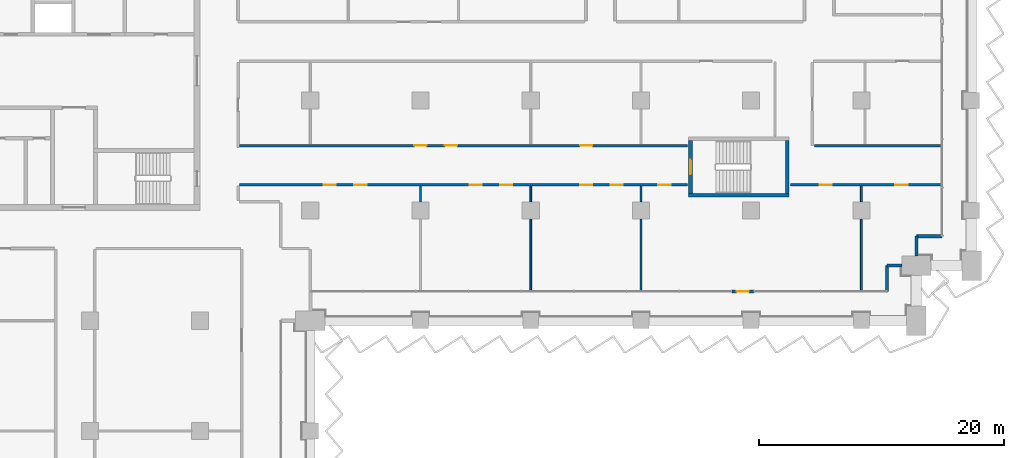
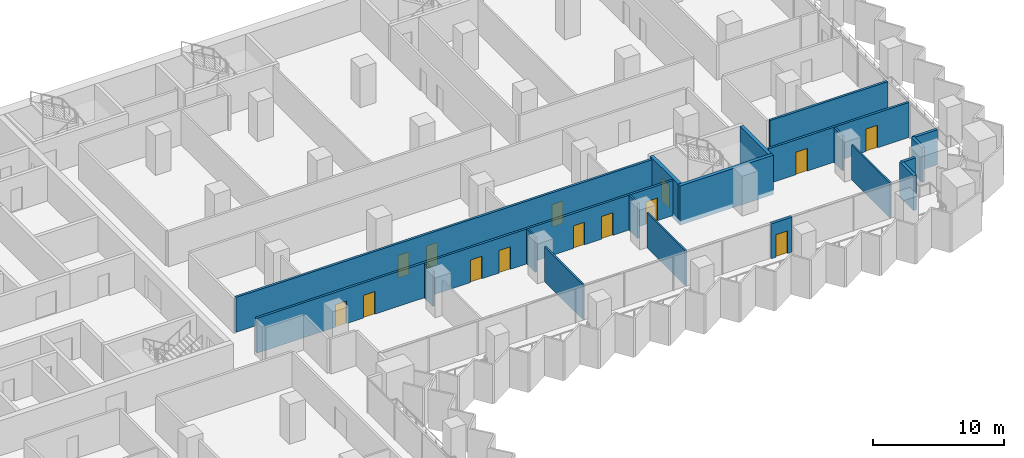
# One storey, part 13 of 28: 19 walls, 14 doors, 14 openings.
"""IFC4 building model written with IfcOpenShell, lengths in metres."""

from ifc_helpers import new_model, si_unit, direction, frame, frame_2d, origin, place, context, subcontext, project, spatial, rectangle, extrude, material, layer, layer_set, type_object, element, fill, save


model = new_model("IFC4")

# Units and contexts
model_context = context("Model", 3, precision=1e-05, world=origin(), true_north=direction((0.0, 1.0)))
body_context = subcontext(model_context, "Body", "Model", "MODEL_VIEW")
ifc_project = project(units=[si_unit("LENGTHUNIT", "METRE"), si_unit("AREAUNIT", "SQUARE_METRE"), si_unit("VOLUMEUNIT", "CUBIC_METRE"), si_unit("PLANEANGLEUNIT", "RADIAN"), si_unit("MASSUNIT", "GRAM", prefix="KILO")], contexts=[model_context])

# Site, building, storey
site_placement = place(None, origin())
site = spatial("IfcSite", under=ifc_project, at=site_placement, CompositionType="ELEMENT")
building_placement = place(site_placement, origin())
building = spatial("IfcBuilding", under=site, at=building_placement, Name="Hunhe Ridgeline Campus", CompositionType="ELEMENT")
storey_placement = place(building_placement, frame((0.0, 0.0, 76.5)))
storey = spatial("IfcBuildingStorey", under=building, at=storey_placement, Name="L18", CompositionType="ELEMENT", Elevation=76.5)

# Walls
ifc_material_1 = material(Name="Concrete C30", Category="concrete")
ifc_layer_1 = layer(ifc_material_1, 0.25)
ifc_layer_set_1 = layer_set([ifc_layer_1], Name="Corner return wall 250 Concrete C30")
wall_type_1 = type_object("IfcWallType", Name="Corner return wall 250 Concrete C30", PredefinedType="SOLIDWALL", material=ifc_layer_set_1)
wall_1_placement = place(storey_placement, frame((92.09912109375, 56.40087890625, 0.0), z_axis=(0.0, 0.0, 1.0), x_axis=(0.00011626555, 0.999999993241, 0.0)))
element("IfcWall", 1, at=wall_1_placement, inside=storey, type_object=wall_type_1, Name="Corner return wall 4", PredefinedType="SOLIDWALL", context=body_context, shape_type="SweptSolid", body=[
    extrude(rectangle(XDim=2.099853515625, YDim=0.25, at=frame_2d((1.0498046875, 0.0))), origin(), (0.0, 0.0, 1.0), 3.25),
])
wall_2_placement = place(storey_placement, frame((92.099365234375, 58.500732421875, 0.0), z_axis=(0.0, 0.0, 1.0), x_axis=(1.0, 0.0, 0.0)))
element("IfcWall", 2, at=wall_2_placement, inside=storey, type_object=wall_type_1, Name="Corner return wall 5", PredefinedType="SOLIDWALL", context=body_context, shape_type="SweptSolid", body=[
    extrude(rectangle(XDim=1.20068359375, YDim=0.25, at=frame_2d((0.600341796875, 0.0))), origin(), (0.0, 0.0, 1.0), 3.25),
])
wall_3_placement = place(storey_placement, frame((94.4990234375, 59.300048828125, 0.0), z_axis=(0.0, 0.0, 1.0), x_axis=(0.00015253203, 0.999999988367, 0.0)))
element("IfcWall", 3, at=wall_3_placement, inside=storey, type_object=wall_type_1, Name="Corner return wall 6", PredefinedType="SOLIDWALL", context=body_context, shape_type="SweptSolid", body=[
    extrude(rectangle(XDim=1.6005859375, YDim=0.25, at=frame_2d((0.80029296875, 0.0))), origin(), (0.0, 0.0, 1.0), 3.25),
])
wall_4_placement = place(storey_placement, frame((94.499267578125, 60.900634765625, 0.0), z_axis=(0.0, 0.0, 1.0), x_axis=(0.999999993241, 0.00011626555, 0.0)))
element("IfcWall", 4, at=wall_4_placement, inside=storey, type_object=wall_type_1, Name="Corner return wall 7", PredefinedType="SOLIDWALL", context=body_context, shape_type="SweptSolid", body=[
    extrude(rectangle(XDim=2.099853515625, YDim=0.25, at=frame_2d((1.0498046875, 0.0))), origin(), (0.0, 0.0, 1.0), 3.25),
])

# Wall, openings, doors
ifc_material_2 = material(Name="Gypsum board partition")
ifc_layer_2 = layer(ifc_material_2, 0.199951171875)
ifc_layer_set_2 = layer_set([ifc_layer_2], Name="Corridor partition 200 gypsum board on steel studs")
wall_type_2 = type_object("IfcWallType", Name="Corridor partition 200 gypsum board on steel studs", PredefinedType="PARTITIONING", material=ifc_layer_set_2)
wall_5_placement = place(storey_placement, frame((75.7958984375, 65.10009765625, 0.0), z_axis=(0.0, 0.0, 1.0), x_axis=(-1.0, 0.0, 0.0)))
wall_5 = element("IfcWall", 5, at=wall_5_placement, inside=storey, type_object=wall_type_2, Name="F-L18-wall-033", PredefinedType="PARTITIONING", context=body_context, shape_type="SweptSolid", body=[
    extrude(rectangle(XDim=36.595947265625, YDim=0.199951171875, at=frame_2d((18.2978515625, 0.0))), origin(), (0.0, 0.0, 1.0), 3.25),
])
opening_1_placement = place(wall_5_placement, frame((28.70166015625, 0.0, 0.0)))
opening_1 = element("IfcOpeningElement", 6, at=opening_1_placement, cuts=wall_5, Name="Opening RD1-020", PredefinedType="OPENING", context=body_context, shape_type="SweptSolid", body=[
    extrude(rectangle(XDim=1.0, YDim=2.10009765625, at=frame_2d((0.5, 1.050048828125))), frame((0.0, 0.10009765625, 0.0), z_axis=(0.0, -1.0, 0.0), x_axis=(1.0, 0.0, 0.0)), (0.0, 0.0, 1.0), 0.199951171875),
])
opening_2_placement = place(wall_5_placement, frame((26.20166015625, 0.0, 0.0)))
opening_2 = element("IfcOpeningElement", 7, at=opening_2_placement, cuts=wall_5, Name="Opening RD1-021", PredefinedType="OPENING", context=body_context, shape_type="SweptSolid", body=[
    extrude(rectangle(XDim=1.0, YDim=2.10009765625, at=frame_2d((0.5, 1.050048828125))), frame((0.0, 0.10009765625, 0.0), z_axis=(0.0, -1.0, 0.0), x_axis=(1.0, 0.0, 0.0)), (0.0, 0.0, 1.0), 0.199951171875),
])
opening_3_placement = place(wall_5_placement, frame((16.79541015625, 0.0, 0.0)))
opening_3 = element("IfcOpeningElement", 8, at=opening_3_placement, cuts=wall_5, Name="Opening RD1-022", PredefinedType="OPENING", context=body_context, shape_type="SweptSolid", body=[
    extrude(rectangle(XDim=1.0, YDim=2.10009765625, at=frame_2d((0.5, 1.050048828125))), frame((0.0, 0.10009765625, 0.0), z_axis=(0.0, -1.0, 0.0), x_axis=(1.0, 0.0, 0.0)), (0.0, 0.0, 1.0), 0.199951171875),
])
opening_4_placement = place(wall_5_placement, frame((14.29541015625, 0.0, 0.0)))
opening_4 = element("IfcOpeningElement", 9, at=opening_4_placement, cuts=wall_5, Name="Opening RD1-023", PredefinedType="OPENING", context=body_context, shape_type="SweptSolid", body=[
    extrude(rectangle(XDim=1.0, YDim=2.10009765625, at=frame_2d((0.5, 1.050048828125))), frame((0.0, 0.10009765625, 0.0), z_axis=(0.0, -1.0, 0.0), x_axis=(1.0, 0.0, 0.0)), (0.0, 0.0, 1.0), 0.199951171875),
])
opening_5_placement = place(wall_5_placement, frame((7.771728515625, 0.0, 0.0)))
opening_5 = element("IfcOpeningElement", 10, at=opening_5_placement, cuts=wall_5, Name="Opening RD1-024", PredefinedType="OPENING", context=body_context, shape_type="SweptSolid", body=[
    extrude(rectangle(XDim=1.0, YDim=2.10009765625, at=frame_2d((0.5, 1.050048828125))), frame((0.0, 0.10009765625, 0.0), z_axis=(0.0, -1.0, 0.0), x_axis=(1.0, 0.0, 0.0)), (0.0, 0.0, 1.0), 0.199951171875),
])
opening_6_placement = place(wall_5_placement, frame((5.271728515625, 0.0, 0.0)))
opening_6 = element("IfcOpeningElement", 11, at=opening_6_placement, cuts=wall_5, Name="Opening RD1-025", PredefinedType="OPENING", context=body_context, shape_type="SweptSolid", body=[
    extrude(rectangle(XDim=1.0, YDim=2.10009765625, at=frame_2d((0.5, 1.050048828125))), frame((0.0, 0.10009765625, 0.0), z_axis=(0.0, -1.0, 0.0), x_axis=(1.0, 0.0, 0.0)), (0.0, 0.0, 1.0), 0.199951171875),
])
opening_7_placement = place(wall_5_placement, frame((1.3798828125, 0.0, 0.0)))
opening_7 = element("IfcOpeningElement", 12, at=opening_7_placement, cuts=wall_5, Name="Opening RD1-026", PredefinedType="OPENING", context=body_context, shape_type="SweptSolid", body=[
    extrude(rectangle(XDim=1.0, YDim=2.10009765625, at=frame_2d((0.5, 1.050048828125))), frame((0.0, 0.10009765625, 0.0), z_axis=(0.0, -1.0, 0.0), x_axis=(1.0, 0.0, 0.0)), (0.0, 0.0, 1.0), 0.199951171875),
])
ifc_material_3 = material(Name="Timber door leaf", Category="wood")
door_type_1 = type_object("IfcDoorType", Name="Single fire door 1000x2100 timber FD60", OperationType="NOTDEFINED", PredefinedType="DOOR", material=ifc_material_3)
door_1_placement = place(opening_1_placement, frame((1.0, 0.0, 0.0), z_axis=(0.0, 0.0, 1.0), x_axis=(-1.0, 0.0, 0.0)))
door_1 = element("IfcDoor", 13, at=door_1_placement, inside=storey, type_object=door_type_1, Name="F-L18-door-020", OperationType="SINGLE_SWING_RIGHT", OverallHeight=2.10009765625, OverallWidth=1.0, PredefinedType="DOOR", context=body_context, shape_type="SweptSolid", body=[
    extrude(rectangle(XDim=1.0, YDim=2.10009765625, at=frame_2d((0.5, 1.050048828125))), frame((0.0, 0.02490234375, 0.0), z_axis=(0.0, -1.0, 0.0), x_axis=(1.0, 0.0, 0.0)), (0.0, 0.0, 1.0), 0.050048828125),
])
fill(opening_1, door_1)
door_2_placement = place(opening_2_placement, frame((1.0, 0.0, 0.0), z_axis=(0.0, 0.0, 1.0), x_axis=(-1.0, 0.0, 0.0)))
door_2 = element("IfcDoor", 14, at=door_2_placement, inside=storey, type_object=door_type_1, Name="F-L18-door-021", OperationType="SINGLE_SWING_RIGHT", OverallHeight=2.10009765625, OverallWidth=1.0, PredefinedType="DOOR", context=body_context, shape_type="SweptSolid", body=[
    extrude(rectangle(XDim=1.0, YDim=2.10009765625, at=frame_2d((0.5, 1.050048828125))), frame((0.0, 0.02490234375, 0.0), z_axis=(0.0, -1.0, 0.0), x_axis=(1.0, 0.0, 0.0)), (0.0, 0.0, 1.0), 0.050048828125),
])
fill(opening_2, door_2)
door_3_placement = place(opening_3_placement, frame((1.0, 0.0, 0.0), z_axis=(0.0, 0.0, 1.0), x_axis=(-1.0, 0.0, 0.0)))
door_3 = element("IfcDoor", 15, at=door_3_placement, inside=storey, type_object=door_type_1, Name="F-L18-door-022", OperationType="SINGLE_SWING_RIGHT", OverallHeight=2.10009765625, OverallWidth=1.0, PredefinedType="DOOR", context=body_context, shape_type="SweptSolid", body=[
    extrude(rectangle(XDim=1.0, YDim=2.10009765625, at=frame_2d((0.5, 1.050048828125))), frame((0.0, 0.02490234375, 0.0), z_axis=(0.0, -1.0, 0.0), x_axis=(1.0, 0.0, 0.0)), (0.0, 0.0, 1.0), 0.050048828125),
])
fill(opening_3, door_3)
door_4_placement = place(opening_4_placement, frame((1.0, 0.0, 0.0), z_axis=(0.0, 0.0, 1.0), x_axis=(-1.0, 0.0, 0.0)))
door_4 = element("IfcDoor", 16, at=door_4_placement, inside=storey, type_object=door_type_1, Name="F-L18-door-023", OperationType="SINGLE_SWING_RIGHT", OverallHeight=2.10009765625, OverallWidth=1.0, PredefinedType="DOOR", context=body_context, shape_type="SweptSolid", body=[
    extrude(rectangle(XDim=1.0, YDim=2.10009765625, at=frame_2d((0.5, 1.050048828125))), frame((0.0, 0.02490234375, 0.0), z_axis=(0.0, -1.0, 0.0), x_axis=(1.0, 0.0, 0.0)), (0.0, 0.0, 1.0), 0.050048828125),
])
fill(opening_4, door_4)
door_5_placement = place(opening_5_placement, frame((1.0, 0.0, 0.0), z_axis=(0.0, 0.0, 1.0), x_axis=(-1.0, 0.0, 0.0)))
door_5 = element("IfcDoor", 17, at=door_5_placement, inside=storey, type_object=door_type_1, Name="F-L18-door-024", OperationType="SINGLE_SWING_RIGHT", OverallHeight=2.10009765625, OverallWidth=1.0, PredefinedType="DOOR", context=body_context, shape_type="SweptSolid", body=[
    extrude(rectangle(XDim=1.0, YDim=2.10009765625, at=frame_2d((0.5, 1.050048828125))), frame((0.0, 0.02490234375, 0.0), z_axis=(0.0, -1.0, 0.0), x_axis=(1.0, 0.0, 0.0)), (0.0, 0.0, 1.0), 0.050048828125),
])
fill(opening_5, door_5)
door_6_placement = place(opening_6_placement, frame((1.0, 0.0, 0.0), z_axis=(0.0, 0.0, 1.0), x_axis=(-1.0, 0.0, 0.0)))
door_6 = element("IfcDoor", 18, at=door_6_placement, inside=storey, type_object=door_type_1, Name="F-L18-door-025", OperationType="SINGLE_SWING_RIGHT", OverallHeight=2.10009765625, OverallWidth=1.0, PredefinedType="DOOR", context=body_context, shape_type="SweptSolid", body=[
    extrude(rectangle(XDim=1.0, YDim=2.10009765625, at=frame_2d((0.5, 1.050048828125))), frame((0.0, 0.02490234375, 0.0), z_axis=(0.0, -1.0, 0.0), x_axis=(1.0, 0.0, 0.0)), (0.0, 0.0, 1.0), 0.050048828125),
])
fill(opening_6, door_6)
door_7_placement = place(opening_7_placement, frame((1.0, 0.0, 0.0), z_axis=(0.0, 0.0, 1.0), x_axis=(-1.0, 0.0, 0.0)))
door_7 = element("IfcDoor", 19, at=door_7_placement, inside=storey, type_object=door_type_1, Name="F-L18-door-026", OperationType="SINGLE_SWING_RIGHT", OverallHeight=2.10009765625, OverallWidth=1.0, PredefinedType="DOOR", context=body_context, shape_type="SweptSolid", body=[
    extrude(rectangle(XDim=1.0, YDim=2.10009765625, at=frame_2d((0.5, 1.050048828125))), frame((0.0, 0.02490234375, 0.0), z_axis=(0.0, -1.0, 0.0), x_axis=(1.0, 0.0, 0.0)), (0.0, 0.0, 1.0), 0.050048828125),
])
fill(opening_7, door_7)

wall_6_placement = place(storey_placement, frame((96.544921875, 65.10009765625, 0.0), z_axis=(0.0, 0.0, 1.0), x_axis=(-1.0, 0.0, 0.0)))
wall_6 = element("IfcWall", 20, at=wall_6_placement, inside=storey, type_object=wall_type_2, Name="F-L18-wall-034", PredefinedType="PARTITIONING", context=body_context, shape_type="SweptSolid", body=[
    extrude(rectangle(XDim=12.3408203125, YDim=0.199951171875, at=frame_2d((6.17041015625, 0.0))), origin(), (0.0, 0.0, 1.0), 3.25),
])
opening_8_placement = place(wall_6_placement, frame((8.944580078125, 0.0, 0.0)))
opening_8 = element("IfcOpeningElement", 21, at=opening_8_placement, cuts=wall_6, Name="Opening RD1-027", PredefinedType="OPENING", context=body_context, shape_type="SweptSolid", body=[
    extrude(rectangle(XDim=1.0, YDim=2.10009765625, at=frame_2d((0.5, 1.050048828125))), frame((0.0, 0.10009765625, 0.0), z_axis=(0.0, -1.0, 0.0), x_axis=(1.0, 0.0, 0.0)), (0.0, 0.0, 1.0), 0.199951171875),
])
opening_9_placement = place(wall_6_placement, frame((2.774169921875, 0.0, 0.0)))
opening_9 = element("IfcOpeningElement", 22, at=opening_9_placement, cuts=wall_6, Name="Opening RD1-028", PredefinedType="OPENING", context=body_context, shape_type="SweptSolid", body=[
    extrude(rectangle(XDim=1.0, YDim=2.10009765625, at=frame_2d((0.5, 1.050048828125))), frame((0.0, 0.10009765625, 0.0), z_axis=(0.0, -1.0, 0.0), x_axis=(1.0, 0.0, 0.0)), (0.0, 0.0, 1.0), 0.199951171875),
])
door_8_placement = place(opening_8_placement, frame((1.0, 0.0, 0.0), z_axis=(0.0, 0.0, 1.0), x_axis=(-1.0, 0.0, 0.0)))
door_8 = element("IfcDoor", 23, at=door_8_placement, inside=storey, type_object=door_type_1, Name="F-L18-door-027", OperationType="SINGLE_SWING_RIGHT", OverallHeight=2.10009765625, OverallWidth=1.0, PredefinedType="DOOR", context=body_context, shape_type="SweptSolid", body=[
    extrude(rectangle(XDim=1.0, YDim=2.10009765625, at=frame_2d((0.5, 1.050048828125))), frame((0.0, 0.02490234375, 0.0), z_axis=(0.0, -1.0, 0.0), x_axis=(1.0, 0.0, 0.0)), (0.0, 0.0, 1.0), 0.050048828125),
])
fill(opening_8, door_8)
door_9_placement = place(opening_9_placement, origin())
door_9 = element("IfcDoor", 24, at=door_9_placement, inside=storey, type_object=door_type_1, Name="F-L18-door-028", OperationType="SINGLE_SWING_RIGHT", OverallHeight=2.10009765625, OverallWidth=1.0, PredefinedType="DOOR", context=body_context, shape_type="SweptSolid", body=[
    extrude(rectangle(XDim=1.0, YDim=2.10009765625, at=frame_2d((0.5, 1.050048828125))), frame((0.0, 0.02490234375, 0.0), z_axis=(0.0, -1.0, 0.0), x_axis=(1.0, 0.0, 0.0)), (0.0, 0.0, 1.0), 0.050048828125),
])
fill(opening_9, door_9)

wall_7_placement = place(storey_placement, frame((39.199951171875, 68.300048828125, 0.0), z_axis=(0.0, 0.0, 1.0), x_axis=(1.0, 0.0, 0.0)))
wall_7 = element("IfcWall", 25, at=wall_7_placement, inside=storey, type_object=wall_type_2, Name="F-L18-wall-035", PredefinedType="PARTITIONING", context=body_context, shape_type="SweptSolid", body=[
    extrude(rectangle(XDim=36.595947265625, YDim=0.199951171875, at=frame_2d((18.2978515625, 0.0))), origin(), (0.0, 0.0, 1.0), 3.25),
])
opening_10_placement = place(wall_7_placement, frame((14.288818359375, 0.0, 0.0)))
opening_10 = element("IfcOpeningElement", 26, at=opening_10_placement, cuts=wall_7, Name="Opening RD1-029", PredefinedType="OPENING", context=body_context, shape_type="SweptSolid", body=[
    extrude(rectangle(XDim=1.0, YDim=2.10009765625, at=frame_2d((0.5, 1.050048828125))), frame((0.0, 0.10009765625, 0.0), z_axis=(0.0, -1.0, 0.0), x_axis=(1.0, 0.0, 0.0)), (0.0, 0.0, 1.0), 0.199951171875),
])
opening_11_placement = place(wall_7_placement, frame((16.788818359375, 0.0, 0.0)))
opening_11 = element("IfcOpeningElement", 27, at=opening_11_placement, cuts=wall_7, Name="Opening RD1-030", PredefinedType="OPENING", context=body_context, shape_type="SweptSolid", body=[
    extrude(rectangle(XDim=1.0, YDim=2.10009765625, at=frame_2d((0.5, 1.050048828125))), frame((0.0, 0.10009765625, 0.0), z_axis=(0.0, -1.0, 0.0), x_axis=(1.0, 0.0, 0.0)), (0.0, 0.0, 1.0), 0.199951171875),
])
opening_12_placement = place(wall_7_placement, frame((27.82421875, 0.0, 0.0)))
opening_12 = element("IfcOpeningElement", 28, at=opening_12_placement, cuts=wall_7, Name="Opening RD1-031", PredefinedType="OPENING", context=body_context, shape_type="SweptSolid", body=[
    extrude(rectangle(XDim=1.0, YDim=2.10009765625, at=frame_2d((0.5, 1.050048828125))), frame((0.0, 0.10009765625, 0.0), z_axis=(0.0, -1.0, 0.0), x_axis=(1.0, 0.0, 0.0)), (0.0, 0.0, 1.0), 0.199951171875),
])
door_10_placement = place(opening_10_placement, frame((1.0, 0.0, 0.0), z_axis=(0.0, 0.0, 1.0), x_axis=(-1.0, 0.0, 0.0)))
door_10 = element("IfcDoor", 29, at=door_10_placement, inside=storey, type_object=door_type_1, Name="F-L18-door-029", OperationType="SINGLE_SWING_LEFT", OverallHeight=2.10009765625, OverallWidth=1.0, PredefinedType="DOOR", context=body_context, shape_type="SweptSolid", body=[
    extrude(rectangle(XDim=1.0, YDim=2.10009765625, at=frame_2d((0.5, 1.050048828125))), frame((0.0, 0.02490234375, 0.0), z_axis=(0.0, -1.0, 0.0), x_axis=(1.0, 0.0, 0.0)), (0.0, 0.0, 1.0), 0.050048828125),
])
fill(opening_10, door_10)
door_11_placement = place(opening_11_placement, frame((1.0, 0.0, 0.0), z_axis=(0.0, 0.0, 1.0), x_axis=(-1.0, 0.0, 0.0)))
door_11 = element("IfcDoor", 30, at=door_11_placement, inside=storey, type_object=door_type_1, Name="F-L18-door-030", OperationType="SINGLE_SWING_LEFT", OverallHeight=2.10009765625, OverallWidth=1.0, PredefinedType="DOOR", context=body_context, shape_type="SweptSolid", body=[
    extrude(rectangle(XDim=1.0, YDim=2.10009765625, at=frame_2d((0.5, 1.050048828125))), frame((0.0, 0.02490234375, 0.0), z_axis=(0.0, -1.0, 0.0), x_axis=(1.0, 0.0, 0.0)), (0.0, 0.0, 1.0), 0.050048828125),
])
fill(opening_11, door_11)
door_12_placement = place(opening_12_placement, origin())
door_12 = element("IfcDoor", 31, at=door_12_placement, inside=storey, type_object=door_type_1, Name="F-L18-door-031", OperationType="SINGLE_SWING_RIGHT", OverallHeight=2.10009765625, OverallWidth=1.0, PredefinedType="DOOR", context=body_context, shape_type="SweptSolid", body=[
    extrude(rectangle(XDim=1.0, YDim=2.10009765625, at=frame_2d((0.5, 1.050048828125))), frame((0.0, 0.02490234375, 0.0), z_axis=(0.0, -1.0, 0.0), x_axis=(1.0, 0.0, 0.0)), (0.0, 0.0, 1.0), 0.050048828125),
])
fill(opening_12, door_12)

# Wall
wall_8_placement = place(storey_placement, frame((86.178466796875, 68.300048828125, 0.0), z_axis=(0.0, 0.0, 1.0), x_axis=(1.0, 0.0, 0.0)))
element("IfcWall", 32, at=wall_8_placement, inside=storey, type_object=wall_type_2, Name="F-L18-wall-036", PredefinedType="PARTITIONING", context=body_context, shape_type="SweptSolid", body=[
    extrude(rectangle(XDim=10.366455078125, YDim=0.199951171875, at=frame_2d((5.18310546875, 0.0))), origin(), (0.0, 0.0, 1.0), 3.25),
])

# Wall, opening, door
ifc_layer_3 = layer(ifc_material_1, 0.25)
ifc_layer_set_3 = layer_set([ifc_layer_3], Name="Loggia door pier wall 250 Concrete C30")
wall_type_3 = type_object("IfcWallType", Name="Loggia door pier wall 250 Concrete C30", PredefinedType="SOLIDWALL", material=ifc_layer_set_3)
wall_9_placement = place(storey_placement, frame((79.424072265625, 56.40087890625, 0.0), z_axis=(0.0, 0.0, 1.0), x_axis=(1.0, 0.0, 0.0)))
wall_9 = element("IfcWall", 33, at=wall_9_placement, inside=storey, type_object=wall_type_3, Name="Loggia door pier 4", PredefinedType="SOLIDWALL", context=body_context, shape_type="SweptSolid", body=[
    extrude(rectangle(XDim=1.800048828125, YDim=0.25, at=frame_2d((0.89990234375, 0.0))), origin(), (0.0, 0.0, 1.0), 3.25),
])
opening_13_placement = place(wall_9_placement, frame((0.39990234375, 0.0, 0.0)))
opening_13 = element("IfcOpeningElement", 34, at=opening_13_placement, cuts=wall_9, Name="Opening BD107", PredefinedType="OPENING", context=body_context, shape_type="SweptSolid", body=[
    extrude(rectangle(XDim=1.0, YDim=2.10009765625, at=frame_2d((0.5, 1.050048828125))), frame((0.0, 0.125, 0.0), z_axis=(0.0, -1.0, 0.0), x_axis=(1.0, 0.0, 0.0)), (0.0, 0.0, 1.0), 0.25),
])
ifc_material_4 = material(Name="Aluminium 6063", Category="aluminium")
door_type_2 = type_object("IfcDoorType", Name="Loggia glazed door 1000x2100", OperationType="NOTDEFINED", PredefinedType="DOOR", material=ifc_material_4)
door_13_placement = place(opening_13_placement, frame((1.0, 0.0, 0.0), z_axis=(0.0, 0.0, 1.0), x_axis=(-1.0, 0.0, 0.0)))
door_13 = element("IfcDoor", 35, at=door_13_placement, inside=storey, type_object=door_type_2, Name="Loggia door BD107", OperationType="SINGLE_SWING_RIGHT", OverallHeight=2.10009765625, OverallWidth=1.0, PredefinedType="DOOR", context=body_context, shape_type="SweptSolid", body=[
    extrude(rectangle(XDim=1.0, YDim=2.10009765625, at=frame_2d((0.5, 1.050048828125))), frame((0.0, 0.02490234375, 0.0), z_axis=(0.0, -1.0, 0.0), x_axis=(1.0, 0.0, 0.0)), (0.0, 0.0, 1.0), 0.050048828125),
])
fill(opening_13, door_13)

# Walls
ifc_layer_4 = layer(ifc_material_2, 0.14990234375)
ifc_layer_set_4 = layer_set([ifc_layer_4], Name="Room partition 150 gypsum board on steel studs")
wall_type_4 = type_object("IfcWallType", Name="Room partition 150 gypsum board on steel studs", PredefinedType="PARTITIONING", material=ifc_layer_set_4)
wall_10_placement = place(storey_placement, frame((54.0, 65.0, 0.0), z_axis=(0.0, 0.0, 1.0), x_axis=(0.0, -1.0, 0.0)))
element("IfcWall", 36, at=wall_10_placement, inside=storey, type_object=wall_type_4, Name="F-L18-wall-072", PredefinedType="PARTITIONING", context=body_context, shape_type="SweptSolid", body=[
    extrude(rectangle(XDim=1.300048828125, YDim=0.14990234375, at=frame_2d((0.64990234375, 0.0))), origin(), (0.0, 0.0, 1.0), 3.25),
])
wall_11_placement = place(storey_placement, frame((63.0, 62.300048828125, 0.0), z_axis=(0.0, 0.0, 1.0), x_axis=(0.0, -1.0, 0.0)))
element("IfcWall", 37, at=wall_11_placement, inside=storey, type_object=wall_type_4, Name="F-L18-wall-074", PredefinedType="PARTITIONING", context=body_context, shape_type="SweptSolid", body=[
    extrude(rectangle(XDim=5.84521484375, YDim=0.14990234375, at=frame_2d((2.922607421875, 0.0))), origin(), (0.0, 0.0, 1.0), 3.25),
])
wall_12_placement = place(storey_placement, frame((63.0, 65.0, 0.0), z_axis=(0.0, 0.0, 1.0), x_axis=(0.0, -1.0, 0.0)))
element("IfcWall", 38, at=wall_12_placement, inside=storey, type_object=wall_type_4, Name="F-L18-wall-075", PredefinedType="PARTITIONING", context=body_context, shape_type="SweptSolid", body=[
    extrude(rectangle(XDim=1.300048828125, YDim=0.14990234375, at=frame_2d((0.64990234375, 0.0))), origin(), (0.0, 0.0, 1.0), 3.25),
])
wall_13_placement = place(storey_placement, frame((72.0, 62.300048828125, 0.0), z_axis=(0.0, 0.0, 1.0), x_axis=(0.0, -1.0, 0.0)))
element("IfcWall", 39, at=wall_13_placement, inside=storey, type_object=wall_type_4, Name="F-L18-wall-080", PredefinedType="PARTITIONING", context=body_context, shape_type="SweptSolid", body=[
    extrude(rectangle(XDim=5.84521484375, YDim=0.14990234375, at=frame_2d((2.922607421875, 0.0))), origin(), (0.0, 0.0, 1.0), 3.25),
])
wall_14_placement = place(storey_placement, frame((72.0, 65.0, 0.0), z_axis=(0.0, 0.0, 1.0), x_axis=(0.0, -1.0, 0.0)))
element("IfcWall", 40, at=wall_14_placement, inside=storey, type_object=wall_type_4, Name="F-L18-wall-081", PredefinedType="PARTITIONING", context=body_context, shape_type="SweptSolid", body=[
    extrude(rectangle(XDim=1.300048828125, YDim=0.14990234375, at=frame_2d((0.64990234375, 0.0))), origin(), (0.0, 0.0, 1.0), 3.25),
])
wall_15_placement = place(storey_placement, frame((90.0, 62.300048828125, 0.0), z_axis=(0.0, 0.0, 1.0), x_axis=(0.0, -1.0, 0.0)))
element("IfcWall", 41, at=wall_15_placement, inside=storey, type_object=wall_type_4, Name="F-L18-wall-089", PredefinedType="PARTITIONING", context=body_context, shape_type="SweptSolid", body=[
    extrude(rectangle(XDim=5.844970703125, YDim=0.14990234375, at=frame_2d((2.92236328125, 0.0))), origin(), (0.0, 0.0, 1.0), 3.25),
])
wall_16_placement = place(storey_placement, frame((90.0, 65.0, 0.0), z_axis=(0.0, 0.0, 1.0), x_axis=(0.0, -1.0, 0.0)))
element("IfcWall", 42, at=wall_16_placement, inside=storey, type_object=wall_type_4, Name="F-L18-wall-090", PredefinedType="PARTITIONING", context=body_context, shape_type="SweptSolid", body=[
    extrude(rectangle(XDim=1.300048828125, YDim=0.14990234375, at=frame_2d((0.64990234375, 0.0))), origin(), (0.0, 0.0, 1.0), 3.25),
])
ifc_material_5 = material(Name="Concrete C80", Category="concrete")
ifc_layer_5 = layer(ifc_material_5, 0.300048828125)
ifc_layer_set_5 = layer_set([ifc_layer_5], Name="Stair wall 300 reinforced concrete C80")
wall_type_5 = type_object("IfcWallType", Name="Stair wall 300 reinforced concrete C80", PredefinedType="SOLIDWALL", material=ifc_layer_set_5)
wall_17_placement = place(storey_placement, frame((75.89990234375, 64.25, -0.39990234375), z_axis=(0.0, 0.0, 1.0), x_axis=(1.0, 0.0, 0.0)))
element("IfcWall", 43, at=wall_17_placement, inside=storey, type_object=wall_type_5, Name="L18 core wall 8", PredefinedType="SOLIDWALL", context=body_context, shape_type="SweptSolid", body=[
    extrude(rectangle(XDim=8.2001953125, YDim=0.300048828125, at=frame_2d((4.10009765625, 0.0))), origin(), (0.0, 0.0, 1.0), 3.64990234375),
])

# Wall, opening, door
wall_18_placement = place(storey_placement, frame((76.050048828125, 64.39990234375, -0.39990234375), z_axis=(0.0, 0.0, 1.0), x_axis=(0.0, 1.0, 0.0)))
wall_18 = element("IfcWall", 44, at=wall_18_placement, inside=storey, type_object=wall_type_5, Name="L18 core wall 71", PredefinedType="SOLIDWALL", context=body_context, shape_type="SweptSolid", body=[
    extrude(rectangle(XDim=4.300048828125, YDim=0.300048828125, at=frame_2d((2.14990234375, 0.0))), origin(), (0.0, 0.0, 1.0), 3.64990234375),
])
opening_14_placement = place(wall_18_placement, frame((1.550048828125, 0.0, 0.39990234375)))
opening_14 = element("IfcOpeningElement", 45, at=opening_14_placement, cuts=wall_18, Name="Opening CD24", PredefinedType="OPENING", context=body_context, shape_type="SweptSolid", body=[
    extrude(rectangle(XDim=1.199951171875, YDim=2.10009765625, at=frame_2d((0.60009765625, 1.050048828125))), frame((0.0, 0.14990234375, 0.0), z_axis=(0.0, -1.0, 0.0), x_axis=(1.0, 0.0, 0.0)), (0.0, 0.0, 1.0), 0.300048828125),
])
ifc_material_6 = material(Name="Hollow metal fire door leaf")
door_type_3 = type_object("IfcDoorType", Name="Stair door 1200x2100 FD60", OperationType="SINGLE_SWING_LEFT", PredefinedType="DOOR", material=ifc_material_6)
door_14_placement = place(opening_14_placement, origin())
door_14 = element("IfcDoor", 46, at=door_14_placement, inside=storey, type_object=door_type_3, Name="L18 door E5", OperationType="SINGLE_SWING_RIGHT", OverallHeight=2.10009765625, OverallWidth=1.199951171875, PredefinedType="DOOR", context=body_context, shape_type="SweptSolid", body=[
    extrude(rectangle(XDim=1.199951171875, YDim=2.10009765625, at=frame_2d((0.60009765625, 1.050048828125))), frame((0.0, 0.02490234375, 0.0), z_axis=(0.0, -1.0, 0.0), x_axis=(1.0, 0.0, 0.0)), (0.0, 0.0, 1.0), 0.050048828125),
])
fill(opening_14, door_14)

# Wall
wall_19_placement = place(storey_placement, frame((83.949951171875, 64.39990234375, -0.39990234375), z_axis=(0.0, 0.0, 1.0), x_axis=(0.0, 1.0, 0.0)))
element("IfcWall", 47, at=wall_19_placement, inside=storey, type_object=wall_type_5, Name="L18 core wall 72", PredefinedType="SOLIDWALL", context=body_context, shape_type="SweptSolid", body=[
    extrude(rectangle(XDim=4.300048828125, YDim=0.300048828125, at=frame_2d((2.14990234375, 0.0))), origin(), (0.0, 0.0, 1.0), 3.64990234375),
])

save(model, "model.ifc")
